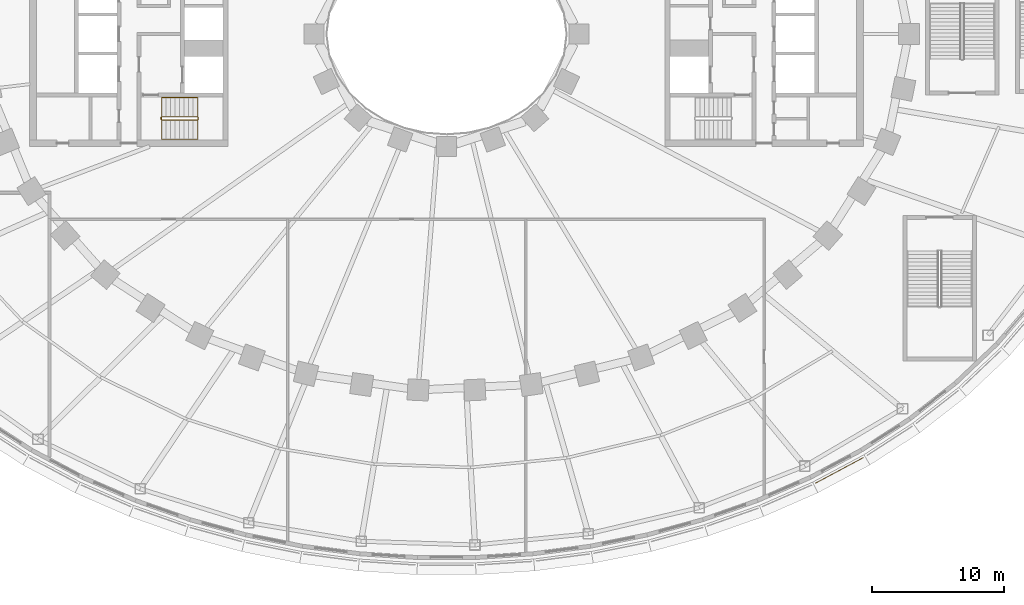
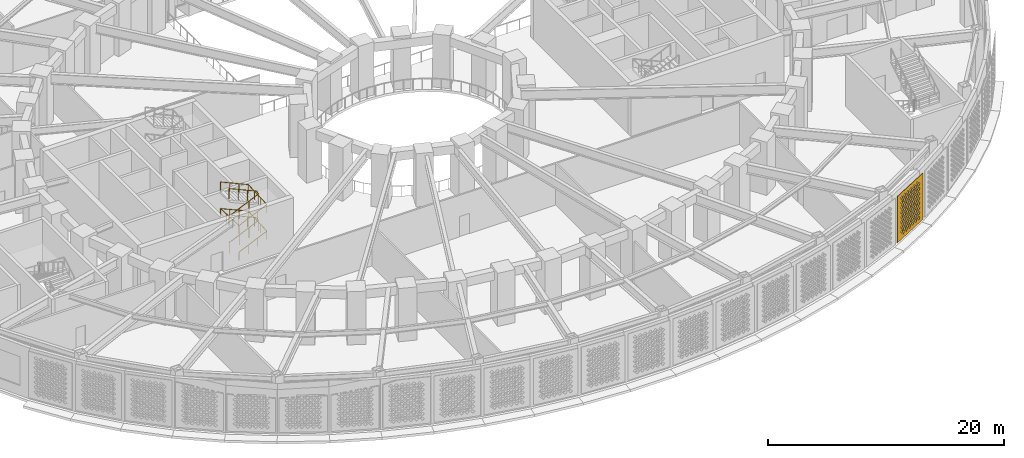
# One storey, part 59 of 69: 2 railings, 1 covering.
"""IFC4 building model written with IfcOpenShell, lengths in metres."""

import ifcopenshell
import ifcopenshell.guid

model = None  # the IFC model being written
_history = None  # IfcOwnerHistory: only IFC2X3 demands one
_inside = {}  # id of a spatial element -> (the spatial element, [elements in it])
_under = {}  # id of a project, library or spatial element -> (it, [spatial elements below it])
_declared = {}  # id of a project -> (the project, [libraries it declares])
_typed = {}  # id of a type object -> (the type object, [elements of that type])
_made_of = {}  # id of a material, layer set ... -> (it, [elements and type objects made of it])


def new_model(schema):
    """Start an empty IFC model of exactly this schema.

    Asked for "IFC4X3", IfcOpenShell would pick the latest addendum, in which some entities
    have other attributes; the version numbers below select the first issue.
    IFC2X3 requires an IfcOwnerHistory on every rooted entity: one is made here for all.
    """
    global model, _history
    if schema == "IFC4X3":
        model = ifcopenshell.file(schema_version=(4, 3, 0, 0))
    else:
        model = ifcopenshell.file(schema=schema)
    _inside.clear()
    _under.clear()
    _declared.clear()
    _typed.clear()
    _made_of.clear()
    _history = None
    if model.schema == "IFC2X3":
        org = make("IfcOrganization", Name="unknown")
        user = make(
            "IfcPersonAndOrganization",
            ThePerson=make("IfcPerson", FamilyName="unknown"),
            TheOrganization=org,
        )
        app = make(
            "IfcApplication",
            ApplicationDeveloper=org,
            Version="unknown",
            ApplicationFullName="unknown",
            ApplicationIdentifier="unknown",
        )
        _history = make(
            "IfcOwnerHistory",
            OwningUser=user,
            OwningApplication=app,
            ChangeAction="ADDED",
            CreationDate=0,
        )
    return model


def make(cls, **values):
    """One entity of the class cls with the attributes given. An attribute that is None is left unset."""
    return model.create_entity(
        cls, **{name: value for name, value in values.items() if value is not None}
    )


def rooted(cls, **values):
    """An entity with a GlobalId (a new one), such as an element, a storey or a relation."""
    return make(cls, GlobalId=ifcopenshell.guid.new(), OwnerHistory=_history, **values)


def si_unit(unit_type, name, prefix=None):
    """IfcSIUnit, for example si_unit("LENGTHUNIT", "METRE", prefix="MILLI")."""
    return make("IfcSIUnit", UnitType=unit_type, Prefix=prefix, Name=name)


def assignment(units):
    """IfcUnitAssignment: the units of a project."""
    return None if units is None else make("IfcUnitAssignment", Units=units)


def point(xyz):
    """IfcCartesianPoint."""
    return None if xyz is None else make("IfcCartesianPoint", Coordinates=xyz)


def direction(xyz):
    """IfcDirection."""
    return None if xyz is None else make("IfcDirection", DirectionRatios=xyz)


def frame(location, z_axis=None, x_axis=None):
    """IfcAxis2Placement3D, a coordinate frame: its origin and axes. An axis left out is left unset."""
    return make(
        "IfcAxis2Placement3D",
        Location=point(location),
        Axis=direction(z_axis),
        RefDirection=direction(x_axis),
    )


def frame_2d(location, x_axis=None):
    """IfcAxis2Placement2D, a coordinate frame in the plane: its origin and x axis."""
    return make(
        "IfcAxis2Placement2D", Location=point(location), RefDirection=direction(x_axis)
    )


def origin():
    """The frame at (0, 0, 0) with its axes left unset."""
    return frame((0.0, 0.0, 0.0))


def origin_2d():
    """The frame at (0, 0) in the plane with its x axis left unset."""
    return frame_2d((0.0, 0.0))


def place(relative_to, where):
    """IfcLocalPlacement: puts the frame where relative to a parent placement (None: the world)."""
    return make(
        "IfcLocalPlacement", PlacementRelTo=relative_to, RelativePlacement=where
    )


def context(
    kind, dimensions, precision=None, world=None, true_north=None, identifier=None
):
    """IfcGeometricRepresentationContext, for example the 3D "Model" context."""
    return make(
        "IfcGeometricRepresentationContext",
        ContextIdentifier=identifier,
        ContextType=kind,
        CoordinateSpaceDimension=dimensions,
        Precision=precision,
        WorldCoordinateSystem=world,
        TrueNorth=true_north,
    )


def subcontext(parent, identifier, kind, view, scale=None):
    """IfcGeometricRepresentationSubContext, for example "Body" below "Model"."""
    return make(
        "IfcGeometricRepresentationSubContext",
        ContextIdentifier=identifier,
        ContextType=kind,
        ParentContext=parent,
        TargetScale=scale,
        TargetView=view,
    )


def project(units=None, contexts=None):
    """IfcProject with its units and contexts."""
    return rooted(
        "IfcProject",
        Name="project",
        RepresentationContexts=contexts,
        UnitsInContext=assignment(units),
    )


def spatial(cls, under=None, at=None, **own):
    """A site, building, storey or space (cls), placed at a placement, below another one or the project."""
    s = rooted(cls, ObjectPlacement=at, **own)
    if under is not None:
        _under.setdefault(under.id(), (under, []))[1].append(s)
    return s


def polyline(points):
    """IfcPolyline through the points."""
    return make("IfcPolyline", Points=[point(p) for p in points])


def profile(cls, at=None, kind="AREA", **sizes):
    """A parametric profile (cls). Its sizes go by their IFC names, for example OverallWidth=200.0."""
    return make(cls, ProfileType=kind, Position=at, **sizes)


def rectangle(**sizes):
    """IfcRectangleProfileDef."""
    return profile("IfcRectangleProfileDef", **sizes)


def outline(outer, holes=None, kind="AREA"):
    """IfcArbitraryClosedProfileDef: a profile drawn as a closed curve; with holes, ...WithVoids."""
    if holes is None:
        return make("IfcArbitraryClosedProfileDef", ProfileType=kind, OuterCurve=outer)
    return make(
        "IfcArbitraryProfileDefWithVoids",
        ProfileType=kind,
        OuterCurve=outer,
        InnerCurves=holes,
    )


def extrude(swept, where, along, depth):
    """IfcExtrudedAreaSolid: the profile swept, set in the frame where, extruded along a direction by depth."""
    return make(
        "IfcExtrudedAreaSolid",
        SweptArea=swept,
        Position=where,
        ExtrudedDirection=direction(along),
        Depth=depth,
    )


def shape(context_of_items, identifier, shape_type, items):
    """IfcShapeRepresentation: the items that make up one representation, for example the "Body"."""
    return make(
        "IfcShapeRepresentation",
        ContextOfItems=context_of_items,
        RepresentationIdentifier=identifier,
        RepresentationType=shape_type,
        Items=items,
    )


def material(Name=None, Category=None):
    """IfcMaterial."""
    return make("IfcMaterial", Name=Name, Category=Category)


def layer(
    of_material, thickness, ventilated=None, Name=None, Category=None, Priority=None
):
    """IfcMaterialLayer: one layer of a wall or slab, of a material (None: an air gap)."""
    return make(
        "IfcMaterialLayer",
        Material=of_material,
        LayerThickness=thickness,
        IsVentilated=ventilated,
        Name=Name,
        Category=Category,
        Priority=Priority,
    )


def layer_set(layers, Name=None):
    """IfcMaterialLayerSet."""
    return make("IfcMaterialLayerSet", MaterialLayers=layers, LayerSetName=Name)


def made_of(thing, what):
    """Note that an element or type object is made of a material, layer set ...; save() writes the relation."""
    if what is not None:
        _made_of.setdefault(what.id(), (what, []))[1].append(thing)
    return thing


def type_object(cls, material=None, **own):
    """A type object (cls), such as IfcWallType, which elements share."""
    return made_of(rooted(cls, **own), material)


def element(
    cls,
    number,
    at=None,
    inside=None,
    cuts=None,
    type_object=None,
    material=None,
    context=None,
    identifier="Body",
    shape_type=None,
    held_by="IfcProductDefinitionShape",
    body=None,
    shapes=None,
    **own,
):
    """One element of the class cls, such as IfcWall. Its Tag is "e" and its number.

    at: its placement. inside: the storey or other place that contains it. cuts: it is an
    opening in that element (IfcRelVoidsElement). A single representation is given by context,
    identifier, shape_type and body (its items); several are given by shapes. held_by: the class
    of the entity that holds the representations. save() writes the other relations.
    """
    e = rooted(cls, Tag="e%d" % number, ObjectPlacement=at, **own)
    if body is not None:
        shapes = [shape(context, identifier, shape_type, body)]
    if shapes is not None:
        e.Representation = make(held_by, Representations=shapes)
    if inside is not None:
        _inside.setdefault(inside.id(), (inside, []))[1].append(e)
    if cuts is not None:
        rooted(
            "IfcRelVoidsElement", RelatingBuildingElement=cuts, RelatedOpeningElement=e
        )
    if type_object is not None:
        _typed.setdefault(type_object.id(), (type_object, []))[1].append(e)
    return made_of(e, material)


def aggregate(whole, parts):
    """IfcRelAggregates: a whole, such as a stair, and the parts it consists of."""
    return rooted("IfcRelAggregates", RelatingObject=whole, RelatedObjects=parts)


def save(model, path):
    """Write the relations noted so far, then the file.

    IfcRelAggregates (storeys below a building ...), IfcRelContainedInSpatialStructure (elements
    in a storey), IfcRelDefinesByType, IfcRelAssociatesMaterial and IfcRelDeclares: one each for
    every whole, place, type object, material and project.
    """
    for whole, parts in _under.values():
        aggregate(whole, parts)
    for where, things in _inside.values():
        rooted(
            "IfcRelContainedInSpatialStructure",
            RelatedElements=things,
            RelatingStructure=where,
        )
    for kind, things in _typed.values():
        rooted("IfcRelDefinesByType", RelatedObjects=things, RelatingType=kind)
    for what, things in _made_of.values():
        rooted("IfcRelAssociatesMaterial", RelatedObjects=things, RelatingMaterial=what)
    for by, libraries in _declared.values():
        rooted("IfcRelDeclares", RelatingContext=by, RelatedDefinitions=libraries)
    model.write(path)


model = new_model("IFC4")

# Units and contexts
model_context = context("Model", 3, precision=1e-05, world=origin(), true_north=direction((0.0, 1.0)))
body_context = subcontext(model_context, "Body", "Model", "MODEL_VIEW")
ifc_project = project(units=[si_unit("LENGTHUNIT", "METRE"), si_unit("AREAUNIT", "SQUARE_METRE"), si_unit("VOLUMEUNIT", "CUBIC_METRE"), si_unit("PLANEANGLEUNIT", "RADIAN"), si_unit("MASSUNIT", "GRAM", prefix="KILO")], contexts=[model_context])

# Site, building, storey
site_placement = place(None, origin())
site = spatial("IfcSite", under=ifc_project, at=site_placement, CompositionType="ELEMENT")
building_placement = place(site_placement, origin())
building = spatial("IfcBuilding", under=site, at=building_placement, Name="Noorbagh Ring Tower", CompositionType="ELEMENT")
storey_placement = place(building_placement, frame((0.0, 0.0, 19.5)))
storey = spatial("IfcBuildingStorey", under=building, at=storey_placement, Name="L03", CompositionType="ELEMENT", Elevation=19.5)

# Railings
ifc_material_1 = material(Name="Stainless steel", Category="steel")
railing_type_1 = type_object("IfcRailingType", Name="CORE-STAIR-GUARD", PredefinedType="GUARDRAIL", material=ifc_material_1)
railing_1_placement = place(storey_placement, frame((-21.580078125, -6.449951171875, 0.0)))
element("IfcRailing", 1, at=railing_1_placement, inside=storey, type_object=railing_type_1, Name="L03 ST2 stair guard", PredefinedType="GUARDRAIL", context=body_context, shape_type="SweptSolid", body=[
    extrude(rectangle(XDim=0.048095703125, YDim=0.048095703125, at=origin_2d()), frame((0.0, 0.0, 1.076171875), z_axis=(0.0, 1.0, 0.0), x_axis=(-1.0, 0.0, 0.0)), (0.0, 0.0, 1.0), 0.14990234375),
    extrude(rectangle(XDim=0.048095703125, YDim=0.048095703125, at=origin_2d()), frame((0.0, 0.14990234375, 1.076171875), z_axis=(0.195046945594, -0.779236333862, 0.595606770449), x_axis=(0.970072785993, 0.242814311512, 0.0)), (0.0, 0.0, 1.0), 0.256591796875),
    extrude(rectangle(XDim=0.048095703125, YDim=0.048095703125, at=origin_2d()), frame((0.050048828125, -0.050048828125, 1.22900390625), z_axis=(0.912149621895, 0.0, 0.409857374312), x_axis=(0.0, 1.0, 0.0)), (0.0, 0.0, 1.0), 2.98193359375),
    extrude(rectangle(XDim=0.048095703125, YDim=0.048095703125, at=origin_2d()), frame((2.77001953125, -0.050048828125, 2.451171875), z_axis=(0.707106781187, 0.707106781187, 0.0), x_axis=(-0.707106781187, 0.707106781187, 0.0)), (0.0, 0.0, 1.0), 0.07080078125),
    extrude(rectangle(XDim=0.048095703125, YDim=0.048095703125, at=origin_2d()), frame((2.820068359375, 0.0, 2.451171875), z_axis=(0.0, 1.0, 0.0), x_axis=(-1.0, 0.0, 0.0)), (0.0, 0.0, 1.0), 0.14990234375),
    extrude(rectangle(XDim=0.048095703125, YDim=0.048095703125, at=origin_2d()), frame((2.820068359375, 0.14990234375, 2.451171875), z_axis=(-0.297155754911, 0.297155754911, 0.90741220768), x_axis=(-0.707106781187, -0.707106781187, 0.0)), (0.0, 0.0, 1.0), 0.16845703125),
    extrude(rectangle(XDim=0.048095703125, YDim=0.048095703125, at=origin_2d()), frame((2.77001953125, 0.199951171875, 2.60400390625), z_axis=(-0.912149621895, 0.0, 0.409857374312), x_axis=(0.0, -1.0, 0.0)), (0.0, 0.0, 1.0), 2.98193359375),
    extrude(rectangle(XDim=0.048095703125, YDim=0.048095703125, at=origin_2d()), frame((0.050048828125, 0.199951171875, 3.826171875), z_axis=(-0.242814311512, -0.970072785993, 0.0), x_axis=(0.970072785993, -0.242814311512, 0.0)), (0.0, 0.0, 1.0), 0.2060546875),
    extrude(rectangle(XDim=0.048095703125, YDim=0.048095703125, at=origin_2d()), frame((0.0, 0.0, 3.826171875), z_axis=(0.0, 1.0, 0.0), x_axis=(-1.0, 0.0, 0.0)), (0.0, 0.0, 1.0), 0.14990234375),
    extrude(rectangle(XDim=0.048095703125, YDim=0.048095703125, at=origin_2d()), frame((0.0, 0.14990234375, 3.826171875), z_axis=(0.195046945594, -0.779236333862, 0.595606770449), x_axis=(0.970072785993, 0.242814311512, 0.0)), (0.0, 0.0, 1.0), 0.256591796875),
    extrude(rectangle(XDim=0.048095703125, YDim=0.048095703125, at=origin_2d()), frame((0.050048828125, -0.050048828125, 3.97900390625), z_axis=(0.912149621895, 0.0, 0.409857374312), x_axis=(0.0, 1.0, 0.0)), (0.0, 0.0, 1.0), 2.98193359375),
    extrude(rectangle(XDim=0.048095703125, YDim=0.048095703125, at=origin_2d()), frame((2.77001953125, -0.050048828125, 5.201171875), z_axis=(0.707106781187, 0.707106781187, 0.0), x_axis=(-0.707106781187, 0.707106781187, 0.0)), (0.0, 0.0, 1.0), 0.07080078125),
    extrude(rectangle(XDim=0.048095703125, YDim=0.048095703125, at=origin_2d()), frame((2.820068359375, 0.0, 5.201171875), z_axis=(0.0, 1.0, 0.0), x_axis=(-1.0, 0.0, 0.0)), (0.0, 0.0, 1.0), 0.14990234375),
    extrude(rectangle(XDim=0.048095703125, YDim=0.048095703125, at=origin_2d()), frame((2.820068359375, 0.14990234375, 5.201171875), z_axis=(-0.297155754911, 0.297155754911, 0.90741220768), x_axis=(-0.707106781187, -0.707106781187, 0.0)), (0.0, 0.0, 1.0), 0.16845703125),
    extrude(rectangle(XDim=0.048095703125, YDim=0.048095703125, at=origin_2d()), frame((2.77001953125, 0.199951171875, 5.35400390625), z_axis=(-0.912149621895, 0.0, 0.409857374312), x_axis=(0.0, -1.0, 0.0)), (0.0, 0.0, 1.0), 2.98193359375),
    extrude(rectangle(XDim=0.0419921875, YDim=0.0419921875, at=origin_2d()), origin(), (0.0, 0.0, 1.0), 1.052001953125),
    extrude(rectangle(XDim=0.0419921875, YDim=0.0419921875, at=origin_2d()), frame((0.956787109375, -0.050048828125, 0.560302734375)), (0.0, 0.0, 1.0), 1.052001953125),
    extrude(rectangle(XDim=0.0419921875, YDim=0.0419921875, at=origin_2d()), frame((1.86328125, -0.050048828125, 0.967529296875)), (0.0, 0.0, 1.0), 1.052001953125),
    extrude(rectangle(XDim=0.0419921875, YDim=0.0419921875, at=origin_2d()), frame((2.77001953125, -0.050048828125, 1.375)), (0.0, 0.0, 1.0), 1.052001953125),
    extrude(rectangle(XDim=0.0419921875, YDim=0.0419921875, at=origin_2d()), frame((1.86328125, 0.199951171875, 1.935302734375)), (0.0, 0.0, 1.0), 1.052001953125),
    extrude(rectangle(XDim=0.0419921875, YDim=0.0419921875, at=origin_2d()), frame((0.956787109375, 0.199951171875, 2.342529296875)), (0.0, 0.0, 1.0), 1.052001953125),
    extrude(rectangle(XDim=0.0419921875, YDim=0.0419921875, at=origin_2d()), frame((0.050048828125, 0.199951171875, 2.75)), (0.0, 0.0, 1.0), 1.052001953125),
    extrude(rectangle(XDim=0.0419921875, YDim=0.0419921875, at=origin_2d()), frame((0.956787109375, -0.050048828125, 3.310302734375)), (0.0, 0.0, 1.0), 1.052001953125),
    extrude(rectangle(XDim=0.0419921875, YDim=0.0419921875, at=origin_2d()), frame((1.86328125, -0.050048828125, 3.717529296875)), (0.0, 0.0, 1.0), 1.052001953125),
    extrude(rectangle(XDim=0.0419921875, YDim=0.0419921875, at=origin_2d()), frame((2.77001953125, -0.050048828125, 4.125)), (0.0, 0.0, 1.0), 1.052001953125),
    extrude(rectangle(XDim=0.0419921875, YDim=0.0419921875, at=origin_2d()), frame((1.86328125, 0.199951171875, 4.685302734375)), (0.0, 0.0, 1.0), 1.052001953125),
    extrude(rectangle(XDim=0.0419921875, YDim=0.0419921875, at=origin_2d()), frame((0.956787109375, 0.199951171875, 5.092529296875)), (0.0, 0.0, 1.0), 1.052001953125),
    extrude(rectangle(XDim=0.0419921875, YDim=0.0419921875, at=origin_2d()), frame((0.050048828125, 0.199951171875, 5.5)), (0.0, 0.0, 1.0), 1.052001953125),
])
ifc_material_2 = material(Name="Stainless steel", Category="steel")
railing_type_2 = type_object("IfcRailingType", Name="CORE-STAIR-HANDRAIL", PredefinedType="HANDRAIL", material=ifc_material_2)
railing_2_placement = place(storey_placement, frame((-21.530029296875, -7.949951171875, 0.15283203125)))
element("IfcRailing", 2, at=railing_2_placement, inside=storey, type_object=railing_type_2, Name="L03 ST2 stair handrail", PredefinedType="HANDRAIL", context=body_context, shape_type="SweptSolid", body=[
    extrude(rectangle(XDim=0.048095703125, YDim=0.048095703125, at=origin_2d()), frame((0.0, 0.0, 0.8759765625), z_axis=(0.912149621895, 0.0, 0.409857374312), x_axis=(0.0, 1.0, 0.0)), (0.0, 0.0, 1.0), 2.98193359375),
    extrude(rectangle(XDim=0.048095703125, YDim=0.048095703125, at=origin_2d()), frame((2.719970703125, 0.0, 2.09814453125), z_axis=(0.0, 0.998824997948, 0.048462598722), x_axis=(-1.0, 0.0, 0.0)), (0.0, 0.0, 1.0), 3.153564453125),
    extrude(rectangle(XDim=0.048095703125, YDim=0.048095703125, at=origin_2d()), frame((2.719970703125, 3.14990234375, 2.2509765625), z_axis=(-0.912149621895, 0.0, 0.409857374312), x_axis=(0.0, -1.0, 0.0)), (0.0, 0.0, 1.0), 2.98193359375),
    extrude(rectangle(XDim=0.048095703125, YDim=0.048095703125, at=origin_2d()), frame((0.0, 3.14990234375, 3.47314453125), z_axis=(0.0, -0.998824997948, 0.048462598722), x_axis=(1.0, 0.0, 0.0)), (0.0, 0.0, 1.0), 3.153564453125),
    extrude(rectangle(XDim=0.048095703125, YDim=0.048095703125, at=origin_2d()), frame((0.0, 0.0, 3.6259765625), z_axis=(0.912149621895, 0.0, 0.409857374312), x_axis=(0.0, 1.0, 0.0)), (0.0, 0.0, 1.0), 2.98193359375),
    extrude(rectangle(XDim=0.048095703125, YDim=0.048095703125, at=origin_2d()), frame((2.719970703125, 0.0, 4.84814453125), z_axis=(0.0, 0.998824997948, 0.048462598722), x_axis=(-1.0, 0.0, 0.0)), (0.0, 0.0, 1.0), 3.153564453125),
    extrude(rectangle(XDim=0.048095703125, YDim=0.048095703125, at=origin_2d()), frame((2.719970703125, 3.14990234375, 5.0009765625), z_axis=(-0.912149621895, 0.0, 0.409857374312), x_axis=(0.0, -1.0, 0.0)), (0.0, 0.0, 1.0), 2.98193359375),
    extrude(rectangle(XDim=0.0419921875, YDim=0.0419921875, at=origin_2d()), origin(), (0.0, 0.0, 1.0), 0.851806640625),
    extrude(rectangle(XDim=0.0419921875, YDim=0.0419921875, at=origin_2d()), frame((0.90673828125, 0.0, 0.407470703125)), (0.0, 0.0, 1.0), 0.851806640625),
    extrude(rectangle(XDim=0.0419921875, YDim=0.0419921875, at=origin_2d()), frame((1.813232421875, 0.0, 0.814697265625)), (0.0, 0.0, 1.0), 0.851806640625),
    extrude(rectangle(XDim=0.0419921875, YDim=0.0419921875, at=origin_2d()), frame((2.719970703125, 0.0, 1.22216796875)), (0.0, 0.0, 1.0), 0.851806640625),
    extrude(rectangle(XDim=0.0419921875, YDim=0.0419921875, at=origin_2d()), frame((2.719970703125, 1.050048828125, 1.273193359375)), (0.0, 0.0, 1.0), 0.851806640625),
    extrude(rectangle(XDim=0.0419921875, YDim=0.0419921875, at=origin_2d()), frame((2.719970703125, 2.099853515625, 1.323974609375)), (0.0, 0.0, 1.0), 0.851806640625),
    extrude(rectangle(XDim=0.0419921875, YDim=0.0419921875, at=origin_2d()), frame((2.719970703125, 3.14990234375, 1.375)), (0.0, 0.0, 1.0), 0.851806640625),
    extrude(rectangle(XDim=0.0419921875, YDim=0.0419921875, at=origin_2d()), frame((1.813232421875, 3.14990234375, 1.782470703125)), (0.0, 0.0, 1.0), 0.851806640625),
    extrude(rectangle(XDim=0.0419921875, YDim=0.0419921875, at=origin_2d()), frame((0.90673828125, 3.14990234375, 2.189697265625)), (0.0, 0.0, 1.0), 0.851806640625),
    extrude(rectangle(XDim=0.0419921875, YDim=0.0419921875, at=origin_2d()), frame((0.0, 3.14990234375, 2.59716796875)), (0.0, 0.0, 1.0), 0.851806640625),
    extrude(rectangle(XDim=0.0419921875, YDim=0.0419921875, at=origin_2d()), frame((0.0, 2.099853515625, 2.648193359375)), (0.0, 0.0, 1.0), 0.851806640625),
    extrude(rectangle(XDim=0.0419921875, YDim=0.0419921875, at=origin_2d()), frame((0.0, 1.050048828125, 2.698974609375)), (0.0, 0.0, 1.0), 0.851806640625),
    extrude(rectangle(XDim=0.0419921875, YDim=0.0419921875, at=origin_2d()), frame((0.0, 0.0, 2.75)), (0.0, 0.0, 1.0), 0.851806640625),
    extrude(rectangle(XDim=0.0419921875, YDim=0.0419921875, at=origin_2d()), frame((0.90673828125, 0.0, 3.157470703125)), (0.0, 0.0, 1.0), 0.851806640625),
    extrude(rectangle(XDim=0.0419921875, YDim=0.0419921875, at=origin_2d()), frame((1.813232421875, 0.0, 3.564697265625)), (0.0, 0.0, 1.0), 0.851806640625),
    extrude(rectangle(XDim=0.0419921875, YDim=0.0419921875, at=origin_2d()), frame((2.719970703125, 0.0, 3.97216796875)), (0.0, 0.0, 1.0), 0.851806640625),
    extrude(rectangle(XDim=0.0419921875, YDim=0.0419921875, at=origin_2d()), frame((2.719970703125, 1.050048828125, 4.023193359375)), (0.0, 0.0, 1.0), 0.851806640625),
    extrude(rectangle(XDim=0.0419921875, YDim=0.0419921875, at=origin_2d()), frame((2.719970703125, 2.099853515625, 4.073974609375)), (0.0, 0.0, 1.0), 0.851806640625),
    extrude(rectangle(XDim=0.0419921875, YDim=0.0419921875, at=origin_2d()), frame((2.719970703125, 3.14990234375, 4.125)), (0.0, 0.0, 1.0), 0.851806640625),
    extrude(rectangle(XDim=0.0419921875, YDim=0.0419921875, at=origin_2d()), frame((1.813232421875, 3.14990234375, 4.532470703125)), (0.0, 0.0, 1.0), 0.851806640625),
    extrude(rectangle(XDim=0.0419921875, YDim=0.0419921875, at=origin_2d()), frame((0.90673828125, 3.14990234375, 4.939697265625)), (0.0, 0.0, 1.0), 0.851806640625),
    extrude(rectangle(XDim=0.0419921875, YDim=0.0419921875, at=origin_2d()), frame((0.0, 3.14990234375, 5.34716796875)), (0.0, 0.0, 1.0), 0.851806640625),
])

# Covering
ifc_material_3 = material(Name="Red sandstone jali", Category="masonry")
ifc_layer = layer(ifc_material_3, 0.0400390625)
ifc_layer_set = layer_set([ifc_layer], Name="Red sandstone jali")
covering_type = type_object("IfcCoveringType", Name="STY-JALI", PredefinedType="USERDEFINED", material=ifc_layer_set)
covering_placement = place(storey_placement, frame((27.897705078125, -33.9609375, 0.449951171875), z_axis=(0.470869695201, -0.882202771556, 0.0), x_axis=(0.882202771556, 0.470869695201, 0.0)))
element("IfcCovering", 3, at=covering_placement, inside=storey, type_object=covering_type, Name="Jali screen", ObjectType="SCREEN", PredefinedType="USERDEFINED", context=body_context, shape_type="SweptSolid", body=[
    extrude(outline(polyline([(0.0, 0.0), (4.0966796875, 0.0), (4.0966796875, 4.800048828125), (0.0, 4.800048828125), (0.0, 0.0)]), holes=[polyline([(0.743408203125, 0.52490234375), (0.92333984375, 0.344970703125), (1.103271484375, 0.52490234375), (0.92333984375, 0.705078125), (0.743408203125, 0.52490234375)]), polyline([(1.243408203125, 0.52490234375), (1.42333984375, 0.344970703125), (1.603271484375, 0.52490234375), (1.42333984375, 0.705078125), (1.243408203125, 0.52490234375)]), polyline([(1.743408203125, 0.52490234375), (1.92333984375, 0.344970703125), (2.103271484375, 0.52490234375), (1.92333984375, 0.705078125), (1.743408203125, 0.52490234375)]), polyline([(2.243408203125, 0.52490234375), (2.42333984375, 0.344970703125), (2.603271484375, 0.52490234375), (2.42333984375, 0.705078125), (2.243408203125, 0.52490234375)]), polyline([(2.743408203125, 0.52490234375), (2.92333984375, 0.344970703125), (3.103271484375, 0.52490234375), (2.92333984375, 0.705078125), (2.743408203125, 0.52490234375)]), polyline([(3.243408203125, 0.52490234375), (3.42333984375, 0.344970703125), (3.603271484375, 0.52490234375), (3.42333984375, 0.705078125), (3.243408203125, 0.52490234375)]), polyline([(0.493408203125, 0.77490234375), (0.67333984375, 0.594970703125), (0.853271484375, 0.77490234375), (0.67333984375, 0.955078125), (0.493408203125, 0.77490234375)]), polyline([(0.993408203125, 0.77490234375), (1.17333984375, 0.594970703125), (1.353271484375, 0.77490234375), (1.17333984375, 0.955078125), (0.993408203125, 0.77490234375)]), polyline([(1.493408203125, 0.77490234375), (1.67333984375, 0.594970703125), (1.853271484375, 0.77490234375), (1.67333984375, 0.955078125), (1.493408203125, 0.77490234375)]), polyline([(1.993408203125, 0.77490234375), (2.17333984375, 0.594970703125), (2.353271484375, 0.77490234375), (2.17333984375, 0.955078125), (1.993408203125, 0.77490234375)]), polyline([(2.493408203125, 0.77490234375), (2.67333984375, 0.594970703125), (2.853271484375, 0.77490234375), (2.67333984375, 0.955078125), (2.493408203125, 0.77490234375)]), polyline([(2.993408203125, 0.77490234375), (3.17333984375, 0.594970703125), (3.353271484375, 0.77490234375), (3.17333984375, 0.955078125), (2.993408203125, 0.77490234375)]), polyline([(0.743408203125, 1.02490234375), (0.92333984375, 0.844970703125), (1.103271484375, 1.02490234375), (0.92333984375, 1.205078125), (0.743408203125, 1.02490234375)]), polyline([(1.243408203125, 1.02490234375), (1.42333984375, 0.844970703125), (1.603271484375, 1.02490234375), (1.42333984375, 1.205078125), (1.243408203125, 1.02490234375)]), polyline([(1.743408203125, 1.02490234375), (1.92333984375, 0.844970703125), (2.103271484375, 1.02490234375), (1.92333984375, 1.205078125), (1.743408203125, 1.02490234375)]), polyline([(2.243408203125, 1.02490234375), (2.42333984375, 0.844970703125), (2.603271484375, 1.02490234375), (2.42333984375, 1.205078125), (2.243408203125, 1.02490234375)]), polyline([(2.743408203125, 1.02490234375), (2.92333984375, 0.844970703125), (3.103271484375, 1.02490234375), (2.92333984375, 1.205078125), (2.743408203125, 1.02490234375)]), polyline([(3.243408203125, 1.02490234375), (3.42333984375, 0.844970703125), (3.603271484375, 1.02490234375), (3.42333984375, 1.205078125), (3.243408203125, 1.02490234375)]), polyline([(0.493408203125, 1.27490234375), (0.67333984375, 1.094970703125), (0.853271484375, 1.27490234375), (0.67333984375, 1.455078125), (0.493408203125, 1.27490234375)]), polyline([(0.993408203125, 1.27490234375), (1.17333984375, 1.094970703125), (1.353271484375, 1.27490234375), (1.17333984375, 1.455078125), (0.993408203125, 1.27490234375)]), polyline([(1.493408203125, 1.27490234375), (1.67333984375, 1.094970703125), (1.853271484375, 1.27490234375), (1.67333984375, 1.455078125), (1.493408203125, 1.27490234375)]), polyline([(1.993408203125, 1.27490234375), (2.17333984375, 1.094970703125), (2.353271484375, 1.27490234375), (2.17333984375, 1.455078125), (1.993408203125, 1.27490234375)]), polyline([(2.493408203125, 1.27490234375), (2.67333984375, 1.094970703125), (2.853271484375, 1.27490234375), (2.67333984375, 1.455078125), (2.493408203125, 1.27490234375)]), polyline([(2.993408203125, 1.27490234375), (3.17333984375, 1.094970703125), (3.353271484375, 1.27490234375), (3.17333984375, 1.455078125), (2.993408203125, 1.27490234375)]), polyline([(0.743408203125, 1.52490234375), (0.92333984375, 1.344970703125), (1.103271484375, 1.52490234375), (0.92333984375, 1.705078125), (0.743408203125, 1.52490234375)]), polyline([(1.243408203125, 1.52490234375), (1.42333984375, 1.344970703125), (1.603271484375, 1.52490234375), (1.42333984375, 1.705078125), (1.243408203125, 1.52490234375)]), polyline([(1.743408203125, 1.52490234375), (1.92333984375, 1.344970703125), (2.103271484375, 1.52490234375), (1.92333984375, 1.705078125), (1.743408203125, 1.52490234375)]), polyline([(2.243408203125, 1.52490234375), (2.42333984375, 1.344970703125), (2.603271484375, 1.52490234375), (2.42333984375, 1.705078125), (2.243408203125, 1.52490234375)]), polyline([(2.743408203125, 1.52490234375), (2.92333984375, 1.344970703125), (3.103271484375, 1.52490234375), (2.92333984375, 1.705078125), (2.743408203125, 1.52490234375)]), polyline([(3.243408203125, 1.52490234375), (3.42333984375, 1.344970703125), (3.603271484375, 1.52490234375), (3.42333984375, 1.705078125), (3.243408203125, 1.52490234375)]), polyline([(0.493408203125, 1.77490234375), (0.67333984375, 1.594970703125), (0.853271484375, 1.77490234375), (0.67333984375, 1.955078125), (0.493408203125, 1.77490234375)]), polyline([(0.993408203125, 1.77490234375), (1.17333984375, 1.594970703125), (1.353271484375, 1.77490234375), (1.17333984375, 1.955078125), (0.993408203125, 1.77490234375)]), polyline([(1.493408203125, 1.77490234375), (1.67333984375, 1.594970703125), (1.853271484375, 1.77490234375), (1.67333984375, 1.955078125), (1.493408203125, 1.77490234375)]), polyline([(1.993408203125, 1.77490234375), (2.17333984375, 1.594970703125), (2.353271484375, 1.77490234375), (2.17333984375, 1.955078125), (1.993408203125, 1.77490234375)]), polyline([(2.493408203125, 1.77490234375), (2.67333984375, 1.594970703125), (2.853271484375, 1.77490234375), (2.67333984375, 1.955078125), (2.493408203125, 1.77490234375)]), polyline([(2.993408203125, 1.77490234375), (3.17333984375, 1.594970703125), (3.353271484375, 1.77490234375), (3.17333984375, 1.955078125), (2.993408203125, 1.77490234375)]), polyline([(0.743408203125, 2.02490234375), (0.92333984375, 1.844970703125), (1.103271484375, 2.02490234375), (0.92333984375, 2.205078125), (0.743408203125, 2.02490234375)]), polyline([(1.243408203125, 2.02490234375), (1.42333984375, 1.844970703125), (1.603271484375, 2.02490234375), (1.42333984375, 2.205078125), (1.243408203125, 2.02490234375)]), polyline([(1.743408203125, 2.02490234375), (1.92333984375, 1.844970703125), (2.103271484375, 2.02490234375), (1.92333984375, 2.205078125), (1.743408203125, 2.02490234375)]), polyline([(2.243408203125, 2.02490234375), (2.42333984375, 1.844970703125), (2.603271484375, 2.02490234375), (2.42333984375, 2.205078125), (2.243408203125, 2.02490234375)]), polyline([(2.743408203125, 2.02490234375), (2.92333984375, 1.844970703125), (3.103271484375, 2.02490234375), (2.92333984375, 2.205078125), (2.743408203125, 2.02490234375)]), polyline([(3.243408203125, 2.02490234375), (3.42333984375, 1.844970703125), (3.603271484375, 2.02490234375), (3.42333984375, 2.205078125), (3.243408203125, 2.02490234375)]), polyline([(0.493408203125, 2.27490234375), (0.67333984375, 2.094970703125), (0.853271484375, 2.27490234375), (0.67333984375, 2.455078125), (0.493408203125, 2.27490234375)]), polyline([(0.993408203125, 2.27490234375), (1.17333984375, 2.094970703125), (1.353271484375, 2.27490234375), (1.17333984375, 2.455078125), (0.993408203125, 2.27490234375)]), polyline([(1.493408203125, 2.27490234375), (1.67333984375, 2.094970703125), (1.853271484375, 2.27490234375), (1.67333984375, 2.455078125), (1.493408203125, 2.27490234375)]), polyline([(1.993408203125, 2.27490234375), (2.17333984375, 2.094970703125), (2.353271484375, 2.27490234375), (2.17333984375, 2.455078125), (1.993408203125, 2.27490234375)]), polyline([(2.493408203125, 2.27490234375), (2.67333984375, 2.094970703125), (2.853271484375, 2.27490234375), (2.67333984375, 2.455078125), (2.493408203125, 2.27490234375)]), polyline([(2.993408203125, 2.27490234375), (3.17333984375, 2.094970703125), (3.353271484375, 2.27490234375), (3.17333984375, 2.455078125), (2.993408203125, 2.27490234375)]), polyline([(0.743408203125, 2.52490234375), (0.92333984375, 2.344970703125), (1.103271484375, 2.52490234375), (0.92333984375, 2.705078125), (0.743408203125, 2.52490234375)]), polyline([(1.243408203125, 2.52490234375), (1.42333984375, 2.344970703125), (1.603271484375, 2.52490234375), (1.42333984375, 2.705078125), (1.243408203125, 2.52490234375)]), polyline([(1.743408203125, 2.52490234375), (1.92333984375, 2.344970703125), (2.103271484375, 2.52490234375), (1.92333984375, 2.705078125), (1.743408203125, 2.52490234375)]), polyline([(2.243408203125, 2.52490234375), (2.42333984375, 2.344970703125), (2.603271484375, 2.52490234375), (2.42333984375, 2.705078125), (2.243408203125, 2.52490234375)]), polyline([(2.743408203125, 2.52490234375), (2.92333984375, 2.344970703125), (3.103271484375, 2.52490234375), (2.92333984375, 2.705078125), (2.743408203125, 2.52490234375)]), polyline([(3.243408203125, 2.52490234375), (3.42333984375, 2.344970703125), (3.603271484375, 2.52490234375), (3.42333984375, 2.705078125), (3.243408203125, 2.52490234375)]), polyline([(0.493408203125, 2.77490234375), (0.67333984375, 2.594970703125), (0.853271484375, 2.77490234375), (0.67333984375, 2.955078125), (0.493408203125, 2.77490234375)]), polyline([(0.993408203125, 2.77490234375), (1.17333984375, 2.594970703125), (1.353271484375, 2.77490234375), (1.17333984375, 2.955078125), (0.993408203125, 2.77490234375)]), polyline([(1.493408203125, 2.77490234375), (1.67333984375, 2.594970703125), (1.853271484375, 2.77490234375), (1.67333984375, 2.955078125), (1.493408203125, 2.77490234375)]), polyline([(1.993408203125, 2.77490234375), (2.17333984375, 2.594970703125), (2.353271484375, 2.77490234375), (2.17333984375, 2.955078125), (1.993408203125, 2.77490234375)]), polyline([(2.493408203125, 2.77490234375), (2.67333984375, 2.594970703125), (2.853271484375, 2.77490234375), (2.67333984375, 2.955078125), (2.493408203125, 2.77490234375)]), polyline([(2.993408203125, 2.77490234375), (3.17333984375, 2.594970703125), (3.353271484375, 2.77490234375), (3.17333984375, 2.955078125), (2.993408203125, 2.77490234375)]), polyline([(0.743408203125, 3.02490234375), (0.92333984375, 2.844970703125), (1.103271484375, 3.02490234375), (0.92333984375, 3.205078125), (0.743408203125, 3.02490234375)]), polyline([(1.243408203125, 3.02490234375), (1.42333984375, 2.844970703125), (1.603271484375, 3.02490234375), (1.42333984375, 3.205078125), (1.243408203125, 3.02490234375)]), polyline([(1.743408203125, 3.02490234375), (1.92333984375, 2.844970703125), (2.103271484375, 3.02490234375), (1.92333984375, 3.205078125), (1.743408203125, 3.02490234375)]), polyline([(2.243408203125, 3.02490234375), (2.42333984375, 2.844970703125), (2.603271484375, 3.02490234375), (2.42333984375, 3.205078125), (2.243408203125, 3.02490234375)]), polyline([(2.743408203125, 3.02490234375), (2.92333984375, 2.844970703125), (3.103271484375, 3.02490234375), (2.92333984375, 3.205078125), (2.743408203125, 3.02490234375)]), polyline([(3.243408203125, 3.02490234375), (3.42333984375, 2.844970703125), (3.603271484375, 3.02490234375), (3.42333984375, 3.205078125), (3.243408203125, 3.02490234375)]), polyline([(0.493408203125, 3.27490234375), (0.67333984375, 3.094970703125), (0.853271484375, 3.27490234375), (0.67333984375, 3.455078125), (0.493408203125, 3.27490234375)]), polyline([(0.993408203125, 3.27490234375), (1.17333984375, 3.094970703125), (1.353271484375, 3.27490234375), (1.17333984375, 3.455078125), (0.993408203125, 3.27490234375)]), polyline([(1.493408203125, 3.27490234375), (1.67333984375, 3.094970703125), (1.853271484375, 3.27490234375), (1.67333984375, 3.455078125), (1.493408203125, 3.27490234375)]), polyline([(1.993408203125, 3.27490234375), (2.17333984375, 3.094970703125), (2.353271484375, 3.27490234375), (2.17333984375, 3.455078125), (1.993408203125, 3.27490234375)]), polyline([(2.493408203125, 3.27490234375), (2.67333984375, 3.094970703125), (2.853271484375, 3.27490234375), (2.67333984375, 3.455078125), (2.493408203125, 3.27490234375)]), polyline([(2.993408203125, 3.27490234375), (3.17333984375, 3.094970703125), (3.353271484375, 3.27490234375), (3.17333984375, 3.455078125), (2.993408203125, 3.27490234375)]), polyline([(0.743408203125, 3.52490234375), (0.92333984375, 3.344970703125), (1.103271484375, 3.52490234375), (0.92333984375, 3.705078125), (0.743408203125, 3.52490234375)]), polyline([(1.243408203125, 3.52490234375), (1.42333984375, 3.344970703125), (1.603271484375, 3.52490234375), (1.42333984375, 3.705078125), (1.243408203125, 3.52490234375)]), polyline([(1.743408203125, 3.52490234375), (1.92333984375, 3.344970703125), (2.103271484375, 3.52490234375), (1.92333984375, 3.705078125), (1.743408203125, 3.52490234375)]), polyline([(2.243408203125, 3.52490234375), (2.42333984375, 3.344970703125), (2.603271484375, 3.52490234375), (2.42333984375, 3.705078125), (2.243408203125, 3.52490234375)]), polyline([(2.743408203125, 3.52490234375), (2.92333984375, 3.344970703125), (3.103271484375, 3.52490234375), (2.92333984375, 3.705078125), (2.743408203125, 3.52490234375)]), polyline([(3.243408203125, 3.52490234375), (3.42333984375, 3.344970703125), (3.603271484375, 3.52490234375), (3.42333984375, 3.705078125), (3.243408203125, 3.52490234375)]), polyline([(0.493408203125, 3.77490234375), (0.67333984375, 3.594970703125), (0.853271484375, 3.77490234375), (0.67333984375, 3.955078125), (0.493408203125, 3.77490234375)]), polyline([(0.993408203125, 3.77490234375), (1.17333984375, 3.594970703125), (1.353271484375, 3.77490234375), (1.17333984375, 3.955078125), (0.993408203125, 3.77490234375)]), polyline([(1.493408203125, 3.77490234375), (1.67333984375, 3.594970703125), (1.853271484375, 3.77490234375), (1.67333984375, 3.955078125), (1.493408203125, 3.77490234375)]), polyline([(1.993408203125, 3.77490234375), (2.17333984375, 3.594970703125), (2.353271484375, 3.77490234375), (2.17333984375, 3.955078125), (1.993408203125, 3.77490234375)]), polyline([(2.493408203125, 3.77490234375), (2.67333984375, 3.594970703125), (2.853271484375, 3.77490234375), (2.67333984375, 3.955078125), (2.493408203125, 3.77490234375)]), polyline([(2.993408203125, 3.77490234375), (3.17333984375, 3.594970703125), (3.353271484375, 3.77490234375), (3.17333984375, 3.955078125), (2.993408203125, 3.77490234375)]), polyline([(0.743408203125, 4.02490234375), (0.92333984375, 3.844970703125), (1.103271484375, 4.02490234375), (0.92333984375, 4.205078125), (0.743408203125, 4.02490234375)]), polyline([(1.243408203125, 4.02490234375), (1.42333984375, 3.844970703125), (1.603271484375, 4.02490234375), (1.42333984375, 4.205078125), (1.243408203125, 4.02490234375)]), polyline([(1.743408203125, 4.02490234375), (1.92333984375, 3.844970703125), (2.103271484375, 4.02490234375), (1.92333984375, 4.205078125), (1.743408203125, 4.02490234375)]), polyline([(2.243408203125, 4.02490234375), (2.42333984375, 3.844970703125), (2.603271484375, 4.02490234375), (2.42333984375, 4.205078125), (2.243408203125, 4.02490234375)]), polyline([(2.743408203125, 4.02490234375), (2.92333984375, 3.844970703125), (3.103271484375, 4.02490234375), (2.92333984375, 4.205078125), (2.743408203125, 4.02490234375)]), polyline([(3.243408203125, 4.02490234375), (3.42333984375, 3.844970703125), (3.603271484375, 4.02490234375), (3.42333984375, 4.205078125), (3.243408203125, 4.02490234375)]), polyline([(0.493408203125, 4.27490234375), (0.67333984375, 4.094970703125), (0.853271484375, 4.27490234375), (0.67333984375, 4.455078125), (0.493408203125, 4.27490234375)]), polyline([(0.993408203125, 4.27490234375), (1.17333984375, 4.094970703125), (1.353271484375, 4.27490234375), (1.17333984375, 4.455078125), (0.993408203125, 4.27490234375)]), polyline([(1.493408203125, 4.27490234375), (1.67333984375, 4.094970703125), (1.853271484375, 4.27490234375), (1.67333984375, 4.455078125), (1.493408203125, 4.27490234375)]), polyline([(1.993408203125, 4.27490234375), (2.17333984375, 4.094970703125), (2.353271484375, 4.27490234375), (2.17333984375, 4.455078125), (1.993408203125, 4.27490234375)]), polyline([(2.493408203125, 4.27490234375), (2.67333984375, 4.094970703125), (2.853271484375, 4.27490234375), (2.67333984375, 4.455078125), (2.493408203125, 4.27490234375)]), polyline([(2.993408203125, 4.27490234375), (3.17333984375, 4.094970703125), (3.353271484375, 4.27490234375), (3.17333984375, 4.455078125), (2.993408203125, 4.27490234375)])]), origin(), (0.0, 0.0, -1.0), 0.0400390625),
])

save(model, "model.ifc")
